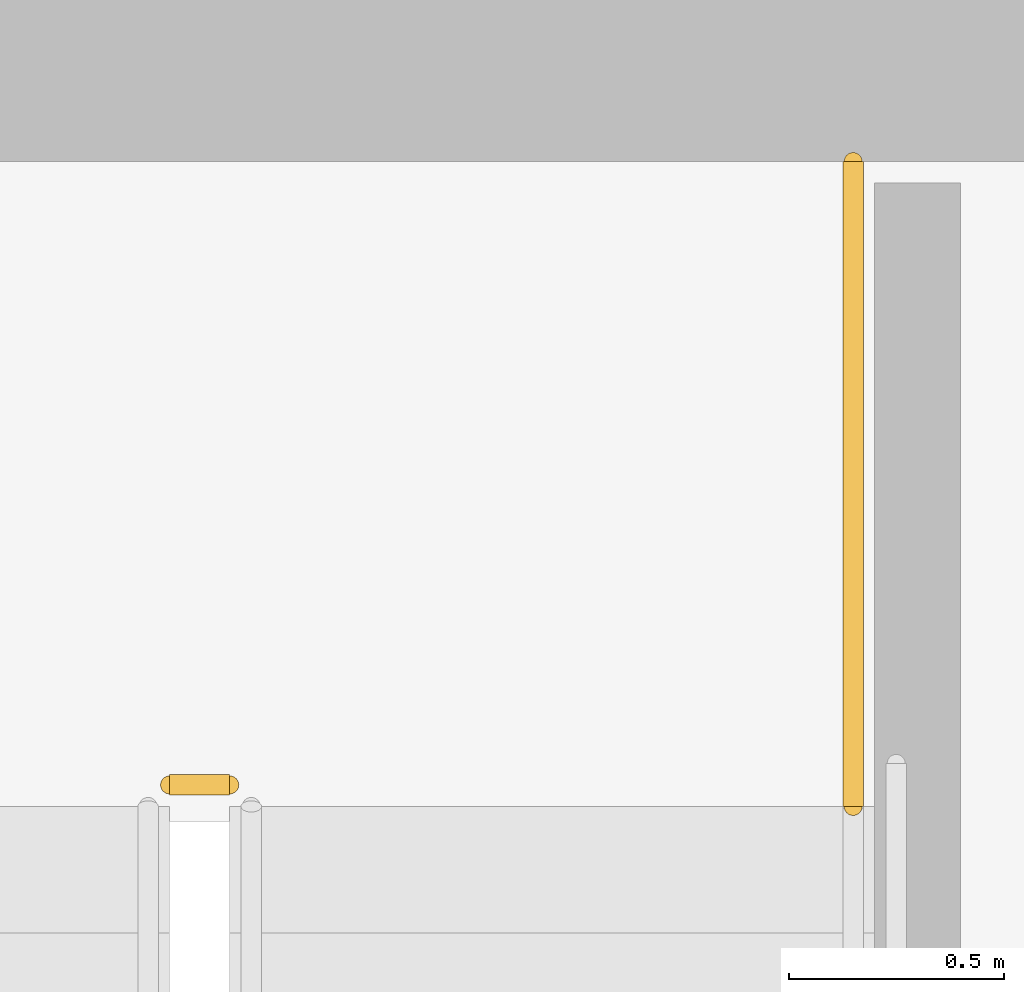
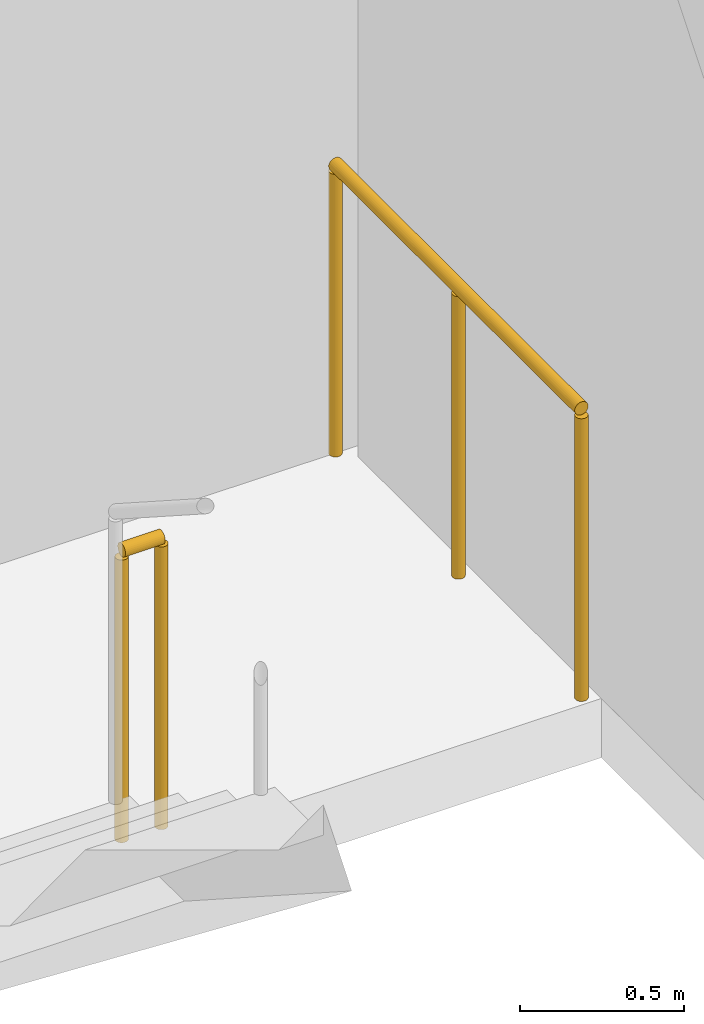
# One storey, part 31 of 32: 2 railings.
"""IFC4 building model written with IfcOpenShell, lengths in metres."""

from ifc_helpers import new_model, si_unit, direction, frame, origin, origin_2d, place, context, subcontext, project, spatial, circle, extrude, material, layer, layer_set, type_object, element, save


model = new_model("IFC4")

# Units and contexts
model_context = context("Model", 3, precision=1e-05, world=origin(), true_north=direction((0.0, 1.0)))
body_context = subcontext(model_context, "Body", "Model", "MODEL_VIEW")
ifc_project = project(units=[si_unit("LENGTHUNIT", "METRE"), si_unit("AREAUNIT", "SQUARE_METRE"), si_unit("VOLUMEUNIT", "CUBIC_METRE"), si_unit("PLANEANGLEUNIT", "RADIAN"), si_unit("MASSUNIT", "GRAM", prefix="KILO")], contexts=[model_context])

# Site, building, storey
site_placement = place(None, origin())
site = spatial("IfcSite", under=ifc_project, at=site_placement, CompositionType="ELEMENT")
building_placement = place(site_placement, origin())
building = spatial("IfcBuilding", under=site, at=building_placement, Name="Ndaravel Arena Tower", CompositionType="ELEMENT")
storey_placement = place(building_placement, frame((0.0, 0.0, 157.39990234375)))
storey = spatial("IfcBuildingStorey", under=building, at=storey_placement, Name="L37", CompositionType="ELEMENT", Elevation=157.39990234375)

# Railings
ifc_material = material(Name="Steel S355", Category="steel")
ifc_layer = layer(ifc_material, 0.06005859375)
ifc_layer_set = layer_set([ifc_layer], Name="Steel S355")
railing_type = type_object("IfcRailingType", Name="RAIL-STAIR-GD1100", PredefinedType="GUARDRAIL", material=ifc_layer_set)
railing_1_placement = place(storey_placement, frame((55.10009765625, 13.300048828125, 0.0)))
element("IfcRailing", 1, at=railing_1_placement, inside=storey, type_object=railing_type, Name="L37 ST-3 stair guard 4", PredefinedType="GUARDRAIL", context=body_context, shape_type="SweptSolid", body=[
    extrude(circle(Radius=0.02392578125, at=origin_2d()), frame((0.0, 0.0, 1.076171875), z_axis=(1.0, 0.0, 0.0), x_axis=(0.0, 1.0, 0.0)), (0.0, 0.0, 1.0), 0.139892578125),
    extrude(circle(Radius=0.02099609375, at=origin_2d()), origin(), (0.0, 0.0, 1.0), 1.052001953125),
    extrude(circle(Radius=0.02099609375, at=origin_2d()), frame((0.139892578125, 0.0, 0.0)), (0.0, 0.0, 1.0), 1.052001953125),
])
railing_2_placement = place(storey_placement, frame((56.68994140625, 14.75, 0.0)))
element("IfcRailing", 2, at=railing_2_placement, inside=storey, type_object=railing_type, Name="L37 ST-3 stair guard 5", PredefinedType="GUARDRAIL", context=body_context, shape_type="SweptSolid", body=[
    extrude(circle(Radius=0.02392578125, at=origin_2d()), frame((0.0, 0.0, 1.076171875), z_axis=(0.0, -1.0, 0.0), x_axis=(1.0, 0.0, 0.0)), (0.0, 0.0, 1.0), 1.5),
    extrude(circle(Radius=0.02099609375, at=origin_2d()), origin(), (0.0, 0.0, 1.0), 1.052001953125),
    extrude(circle(Radius=0.02099609375, at=origin_2d()), frame((0.0, -0.75, 0.0)), (0.0, 0.0, 1.0), 1.052001953125),
    extrude(circle(Radius=0.02099609375, at=origin_2d()), frame((0.0, -1.5, 0.0)), (0.0, 0.0, 1.0), 1.052001953125),
])

save(model, "model.ifc")
